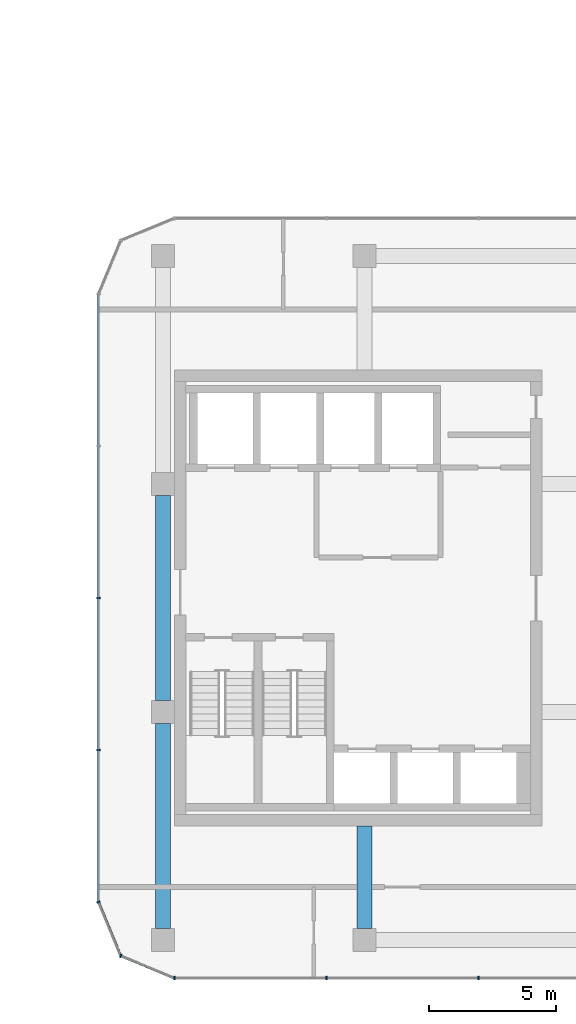
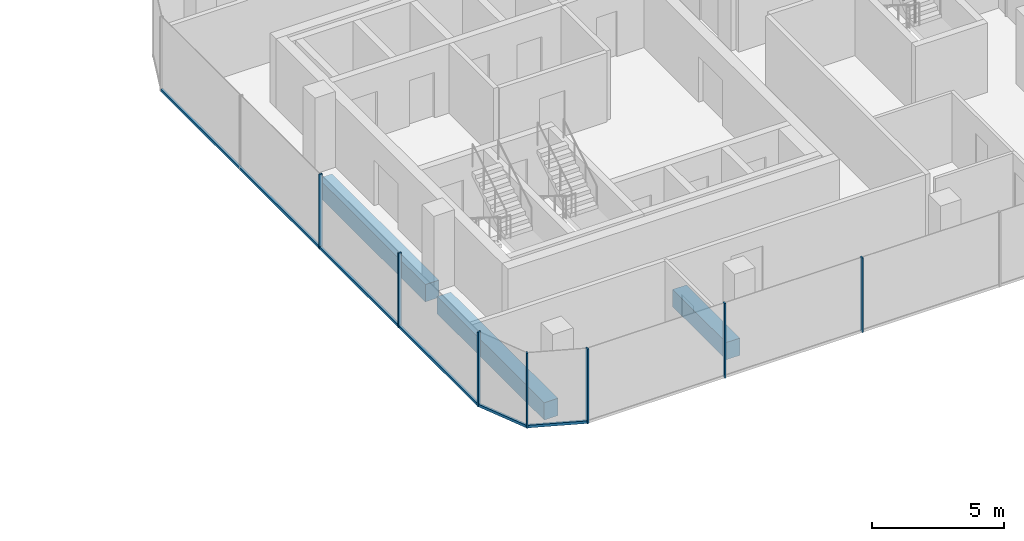
# One storey, part 7 of 22: 10 members, 3 beams, 4 elements without a shape of their own.
"""IFC4 building model written with IfcOpenShell, lengths in metres."""

from ifc_helpers import new_model, si_unit, direction, frame, origin, origin_2d, place, context, subcontext, project, spatial, rectangle, extrude, material, layer, layer_set, material_profile, profile_set, type_object, element, aggregate, save


model = new_model("IFC4")

# Units and contexts
model_context = context("Model", 3, precision=1e-05, world=origin(), true_north=direction((0.0, 1.0)))
body_context = subcontext(model_context, "Body", "Model", "MODEL_VIEW")
ifc_project = project(units=[si_unit("LENGTHUNIT", "METRE"), si_unit("AREAUNIT", "SQUARE_METRE"), si_unit("VOLUMEUNIT", "CUBIC_METRE"), si_unit("PLANEANGLEUNIT", "RADIAN"), si_unit("MASSUNIT", "GRAM", prefix="KILO")], contexts=[model_context])

# Site, building, storey
site_placement = place(None, origin())
site = spatial("IfcSite", under=ifc_project, at=site_placement, CompositionType="ELEMENT")
building_placement = place(site_placement, origin())
building = spatial("IfcBuilding", under=site, at=building_placement, Name="Plateau Cross Towers", CompositionType="ELEMENT")
storey_placement = place(building_placement, frame((0.0, 0.0, 68.800048828125)))
storey = spatial("IfcBuildingStorey", under=building, at=storey_placement, Name="L17", CompositionType="ELEMENT", Elevation=68.800048828125)

# Beam
ifc_material_1 = material(Name="Concrete C60/75", Category="concrete")
ifc_material_profile_1 = material_profile(ifc_material_1, rectangle(XDim=0.60009765625, YDim=0.800048828125, at=origin_2d()), Name="RC 600x800")
ifc_profile_set_1 = profile_set([ifc_material_profile_1], Name="Concrete C60/75")
beam_type_1 = type_object("IfcBeamType", Name="Core beam RC 600x800", PredefinedType="BEAM", material=ifc_profile_set_1)
beam_placement = place(storey_placement, frame((82.5, 0.0, -0.650146484375), z_axis=(0.0, -1.0, 0.0), x_axis=(1.0, 0.0, 0.0)))
element("IfcBeam", 1, at=beam_placement, inside=storey, type_object=beam_type_1, Name="B-CB01@L17", PredefinedType="BEAM", context=body_context, shape_type="SweptSolid", body=[
    extrude(rectangle(XDim=0.60009765625, YDim=0.800048828125, at=origin_2d()), origin(), (0.0, 0.0, 1.0), 4.050048828125),
])

# Curtain wall, members
ifc_material_2 = material(Name="Dark low-iron glass", Category="glass")
ifc_layer = layer(ifc_material_2, 0.239990234375)
ifc_layer_set = layer_set([ifc_layer], Name="Dark low-iron glass")
curtain_wall_type = type_object("IfcCurtainWallType", Name="Curtain wall office unitised CW-F", PredefinedType="NOTDEFINED", material=ifc_layer_set)
curtain_wall_1_placement = place(storey_placement, origin())
curtain_wall_1 = element("IfcCurtainWall", 2, at=curtain_wall_1_placement, inside=storey, type_object=curtain_wall_type, Name="ENV/B/L17/B750_-60", PredefinedType="NOTDEFINED")
ifc_material_3 = material(Name="Black anodised aluminium", Category="aluminium")
ifc_material_profile_2 = material_profile(ifc_material_3, rectangle(XDim=0.06005859375, YDim=0.139892578125, at=origin_2d()), Name="MULLION 60x140")
ifc_profile_set_2 = profile_set([ifc_material_profile_2], Name="Black anodised aluminium")
member_type_1 = type_object("IfcMemberType", Name="Mullion 60x140 office unitised", PredefinedType="MULLION", material=ifc_profile_set_2)
member_1_placement = place(storey_placement, frame((75.0, -6.0, -0.25), z_axis=(0.0, 0.0, 1.0), x_axis=(1.0, 0.0, 0.0)))
member_1 = element("IfcMember", 3, at=member_1_placement, type_object=member_type_1, Name="CW-F mullion 1", PredefinedType="MULLION", context=body_context, shape_type="SweptSolid", body=[
    extrude(rectangle(XDim=0.06005859375, YDim=0.139892578125, at=origin_2d()), origin(), (0.0, 0.0, 1.0), 3.449951171875),
])
member_2_placement = place(storey_placement, frame((81.0, -6.0, -0.25), z_axis=(0.0, 0.0, 1.0), x_axis=(1.0, 0.0, 0.0)))
member_2 = element("IfcMember", 4, at=member_2_placement, type_object=member_type_1, Name="CW-F mullion 2", PredefinedType="MULLION", context=body_context, shape_type="SweptSolid", body=[
    extrude(rectangle(XDim=0.06005859375, YDim=0.139892578125, at=origin_2d()), origin(), (0.0, 0.0, 1.0), 3.449951171875),
])
member_3_placement = place(storey_placement, frame((87.0, -6.0, -0.25), z_axis=(0.0, 0.0, 1.0), x_axis=(1.0, 0.0, 0.0)))
member_3 = element("IfcMember", 5, at=member_3_placement, type_object=member_type_1, Name="CW-F mullion 3", PredefinedType="MULLION", context=body_context, shape_type="SweptSolid", body=[
    extrude(rectangle(XDim=0.06005859375, YDim=0.139892578125, at=origin_2d()), origin(), (0.0, 0.0, 1.0), 3.449951171875),
])
aggregate(curtain_wall_1, [member_1, member_2, member_3])

curtain_wall_2_placement = place(storey_placement, origin())
curtain_wall_2 = element("IfcCurtainWall", 6, at=curtain_wall_2_placement, inside=storey, type_object=curtain_wall_type, Name="ENV/B/L17/B720_210", PredefinedType="NOTDEFINED")
member_4_placement = place(storey_placement, frame((72.0, 9.0, -0.25), z_axis=(0.0, 0.0, 1.0), x_axis=(0.0, -1.0, 0.0)))
member_4 = element("IfcMember", 7, at=member_4_placement, type_object=member_type_1, Name="CW-F mullion 3", PredefinedType="MULLION", context=body_context, shape_type="SweptSolid", body=[
    extrude(rectangle(XDim=0.06005859375, YDim=0.139892578125, at=origin_2d()), origin(), (0.0, 0.0, 1.0), 3.449951171875),
])
member_5_placement = place(storey_placement, frame((72.0, 3.0, -0.25), z_axis=(0.0, 0.0, 1.0), x_axis=(0.0, -1.0, 0.0)))
member_5 = element("IfcMember", 8, at=member_5_placement, type_object=member_type_1, Name="CW-F mullion 4", PredefinedType="MULLION", context=body_context, shape_type="SweptSolid", body=[
    extrude(rectangle(XDim=0.06005859375, YDim=0.139892578125, at=origin_2d()), origin(), (0.0, 0.0, 1.0), 3.449951171875),
])

# Curtain wall, member
curtain_wall_3_placement = place(storey_placement, origin())
curtain_wall_3 = element("IfcCurtainWall", 9, at=curtain_wall_3_placement, inside=storey, type_object=curtain_wall_type, Name="ENV/B/L17/B720_-30", PredefinedType="NOTDEFINED")
member_6_placement = place(storey_placement, frame((72.0, -3.0, -0.25), z_axis=(0.0, 0.0, 1.0), x_axis=(0.382683612978, -0.923879457699, 0.0)))
member_6 = element("IfcMember", 10, at=member_6_placement, type_object=member_type_1, Name="CW-F mullion 1", PredefinedType="MULLION", context=body_context, shape_type="SweptSolid", body=[
    extrude(rectangle(XDim=0.06005859375, YDim=0.139892578125, at=origin_2d()), origin(), (0.0, 0.0, 1.0), 3.449951171875),
])

curtain_wall_4_placement = place(storey_placement, origin())
curtain_wall_4 = element("IfcCurtainWall", 11, at=curtain_wall_4_placement, inside=storey, type_object=curtain_wall_type, Name="ENV/B/L17/B729_-51", PredefinedType="NOTDEFINED")
member_7_placement = place(storey_placement, frame((72.878662109375, -5.121337890625, -0.25), z_axis=(0.0, 0.0, 1.0), x_axis=(0.923879457699, -0.382683612978, 0.0)))
member_7 = element("IfcMember", 12, at=member_7_placement, type_object=member_type_1, Name="CW-F mullion 1", PredefinedType="MULLION", context=body_context, shape_type="SweptSolid", body=[
    extrude(rectangle(XDim=0.06005859375, YDim=0.139892578125, at=origin_2d()), origin(), (0.0, 0.0, 1.0), 3.449951171875),
])

# Beams
ifc_material_profile_3 = material_profile(ifc_material_1, rectangle(XDim=0.60009765625, YDim=0.800048828125, at=origin_2d()), Name="RC 600x800")
ifc_profile_set_3 = profile_set([ifc_material_profile_3], Name="Concrete C60/75")
beam_type_2 = type_object("IfcBeamType", Name="Ring beam RC 600x800", PredefinedType="BEAM", material=ifc_profile_set_3)
for number, where, z_axis, x_axis, name in (
    (13, (74.550048828125, 13.050048828125, -0.650146484375), (0.0, -1.0, 0.0), (1.0, 0.0, 0.0), "B-RB09@L17"),
    (14, (74.550048828125, 4.050048828125, -0.650146484375), (0.0, -1.0, 0.0), (1.0, 0.0, 0.0), "B-RB10@L17"),
):
    element("IfcBeam", number, at=place(storey_placement, frame(where, z_axis=z_axis, x_axis=x_axis)), inside=storey, type_object=beam_type_2, Name=name, PredefinedType="BEAM", context=body_context, shape_type="SweptSolid", body=[
        extrude(rectangle(XDim=0.60009765625, YDim=0.800048828125, at=origin_2d()), origin(), (0.0, 0.0, 1.0), 8.10009765625),
    ])

# Member
ifc_material_profile_4 = material_profile(ifc_material_3, rectangle(XDim=0.10009765625, YDim=0.1201171875, at=origin_2d()), Name="TRANSOM 100x120")
ifc_profile_set_4 = profile_set([ifc_material_profile_4], Name="Black anodised aluminium")
member_type_2 = type_object("IfcMemberType", Name="Transom 100x120 office unitised", PredefinedType="USERDEFINED", material=ifc_profile_set_4)
member_8_placement = place(storey_placement, frame((72.0, 21.0, -0.18994140625), z_axis=(0.0, -1.0, 0.0), x_axis=(1.0, 0.0, 0.0)))
member_8 = element("IfcMember", 15, at=member_8_placement, type_object=member_type_2, Name="CW-F transom", ObjectType="TRANSOM", PredefinedType="USERDEFINED", context=body_context, shape_type="SweptSolid", body=[
    extrude(rectangle(XDim=0.10009765625, YDim=0.1201171875, at=origin_2d()), origin(), (0.0, 0.0, 1.0), 24.0),
])

aggregate(curtain_wall_2, [member_4, member_5, member_8])

member_9_placement = place(storey_placement, frame((72.0, -3.0, -0.18994140625), z_axis=(0.382674207535, -0.923883353507, 0.0), x_axis=(0.923883353507, 0.382674207535, 0.0)))
member_9 = element("IfcMember", 16, at=member_9_placement, type_object=member_type_2, Name="CW-F transom", ObjectType="TRANSOM", PredefinedType="USERDEFINED", context=body_context, shape_type="SweptSolid", body=[
    extrude(rectangle(XDim=0.10009765625, YDim=0.1201171875, at=origin_2d()), origin(), (0.0, 0.0, 1.0), 2.296142578125),
])

aggregate(curtain_wall_3, [member_6, member_9])

member_10_placement = place(storey_placement, frame((72.878662109375, -5.121337890625, -0.18994140625), z_axis=(0.923883353507, -0.382674207535, 0.0), x_axis=(0.382674207535, 0.923883353507, 0.0)))
member_10 = element("IfcMember", 17, at=member_10_placement, type_object=member_type_2, Name="CW-F transom", ObjectType="TRANSOM", PredefinedType="USERDEFINED", context=body_context, shape_type="SweptSolid", body=[
    extrude(rectangle(XDim=0.10009765625, YDim=0.1201171875, at=origin_2d()), origin(), (0.0, 0.0, 1.0), 2.296142578125),
])

aggregate(curtain_wall_4, [member_7, member_10])

save(model, "model.ifc")
